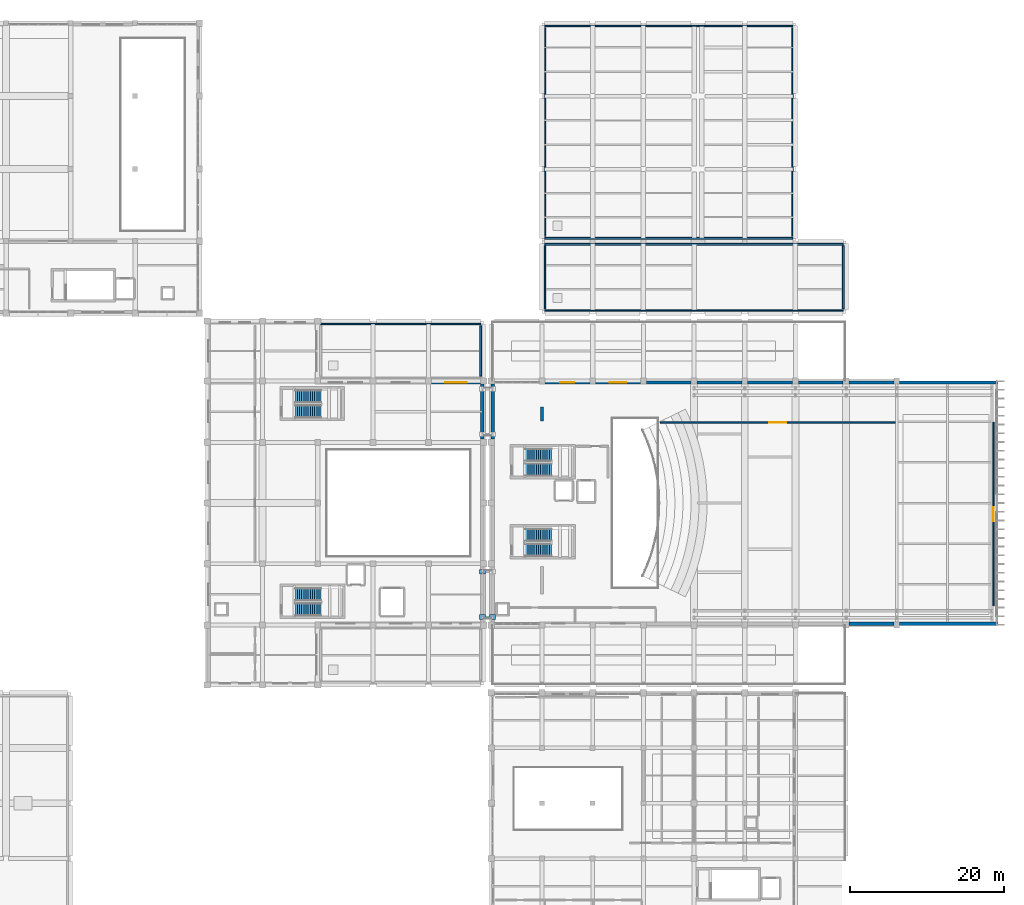
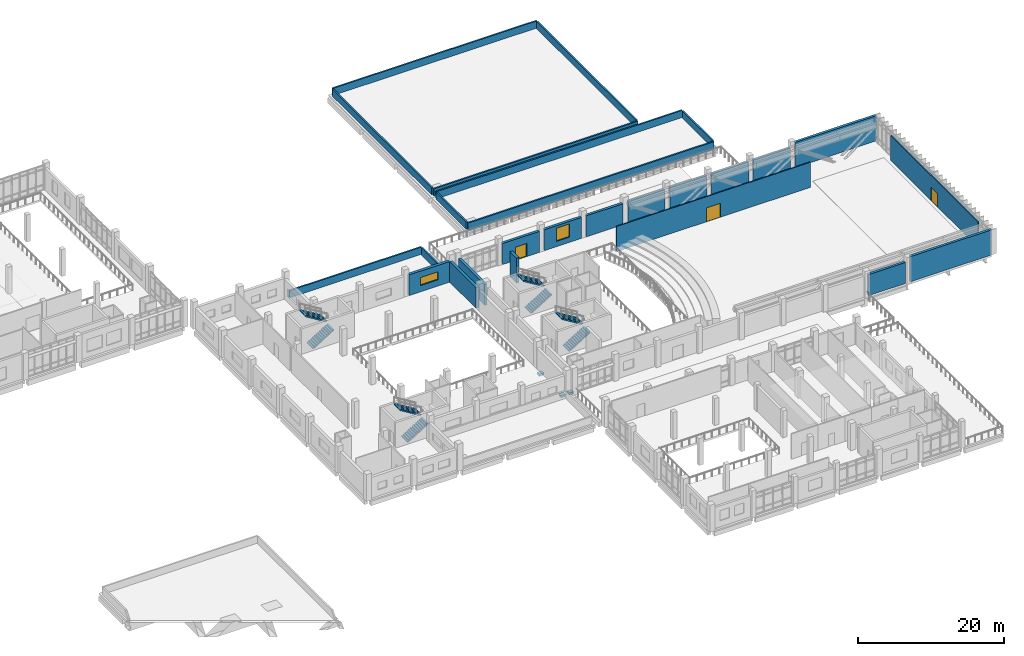
# One storey, part 43 of 54: 26 walls, 8 stair flights, 3 discrete accessories, 3 doors, 2 windows, 5 openings, 4 elements without a shape of their own.
"""IFC4 building model written with IfcOpenShell, lengths in metres."""

from ifc_helpers import new_model, si_unit, direction, frame, frame_2d, origin, origin_2d, place, context, subcontext, project, spatial, polyline, rectangle, outline, extrude, material, layer, layer_set, type_object, element, fill, aggregate, save


model = new_model("IFC4")

# Units and contexts
model_context = context("Model", 3, precision=1e-05, world=origin(), true_north=direction((0.0, 1.0)))
body_context = subcontext(model_context, "Body", "Model", "MODEL_VIEW")
ifc_project = project(units=[si_unit("LENGTHUNIT", "METRE"), si_unit("AREAUNIT", "SQUARE_METRE"), si_unit("VOLUMEUNIT", "CUBIC_METRE"), si_unit("PLANEANGLEUNIT", "RADIAN"), si_unit("MASSUNIT", "GRAM", prefix="KILO")], contexts=[model_context])

# Site, building, storey
site_placement = place(None, origin())
site = spatial("IfcSite", under=ifc_project, at=site_placement, CompositionType="ELEMENT")
building_placement = place(site_placement, origin())
building = spatial("IfcBuilding", under=site, at=building_placement, Name="Kelarvand Opera House", CompositionType="ELEMENT")
storey_placement = place(building_placement, frame((0.0, 0.0, 15.0)))
storey = spatial("IfcBuildingStorey", under=building, at=storey_placement, Name="L03", CompositionType="ELEMENT", Elevation=15.0)

# Wall, opening, door
ifc_material_1 = material(Name="Concrete C35/45", Category="concrete")
ifc_layer_1 = layer(ifc_material_1, 0.39990234375, Name="Concrete C35/45", Category="concrete")
ifc_layer_set_1 = layer_set([ifc_layer_1], Name="Concrete C35/45")
wall_type_1 = type_object("IfcWallType", Name="Acoustic Brick-Travertine Double Wall 400", PredefinedType="SOLIDWALL", material=ifc_layer_set_1)
wall_1_placement = place(storey_placement, frame((95.97509765625, 78.219970703125, 0.0), z_axis=(0.0, 0.0, 1.0), x_axis=(1.0, 0.0, 0.0)))
wall_1 = element("IfcWall", 1, at=wall_1_placement, inside=storey, type_object=wall_type_1, Name="V1 L03 Exterior Wall EW-400 (129)", PredefinedType="SOLIDWALL", context=body_context, shape_type="SweptSolid", body=[
    extrude(rectangle(XDim=5.849853515625, YDim=0.39990234375, at=frame_2d((2.9248046875, 0.0))), origin(), (0.0, 0.0, 1.0), 3.511962890625),
])
opening_1_placement = place(wall_1_placement, frame((2.02490234375, 0.0, 0.0)))
opening_1 = element("IfcOpeningElement", 2, at=opening_1_placement, cuts=wall_1, Name="Opening TD-180", PredefinedType="OPENING", context=body_context, shape_type="SweptSolid", body=[
    extrude(rectangle(XDim=1.800048828125, YDim=2.199951171875, at=frame_2d((0.89990234375, 1.10009765625))), frame((0.0, 0.2099609375, 0.0), z_axis=(0.0, -1.0, 0.0), x_axis=(1.0, 0.0, 0.0)), (0.0, 0.0, 1.0), 0.419921875),
])
ifc_material_2 = material(Name="Thermally broken bronze-anodised aluminium and safety glass", Category="aluminium")
door_type_1 = type_object("IfcDoorType", Name="Glazed Planted Roof Terrace Double Door 1800x2200", OperationType="NOTDEFINED", PredefinedType="DOOR", material=ifc_material_2)
door_1_placement = place(opening_1_placement, origin())
door_1 = element("IfcDoor", 3, at=door_1_placement, inside=storey, type_object=door_type_1, Name="V1 L03 Planted Terrace Door 3", OperationType="DOUBLE_DOOR_SINGLE_SWING", OverallHeight=2.199951171875, OverallWidth=1.800048828125, PredefinedType="DOOR", context=body_context, shape_type="SweptSolid", body=[
    extrude(rectangle(XDim=1.800048828125, YDim=2.199951171875, at=frame_2d((0.89990234375, 1.10009765625))), frame((0.0, 0.02490234375, 0.0), z_axis=(0.0, -1.0, 0.0), x_axis=(1.0, 0.0, 0.0)), (0.0, 0.0, 1.0), 0.050048828125),
])
fill(opening_1, door_1)

# Wall, opening, window
wall_2_placement = place(storey_placement, frame((102.574951171875, 78.219970703125, 0.0), z_axis=(0.0, 0.0, 1.0), x_axis=(1.0, 0.0, 0.0)))
wall_2 = element("IfcWall", 4, at=wall_2_placement, inside=storey, type_object=wall_type_1, Name="V1 L03 Exterior Wall EW-400 (130)", PredefinedType="SOLIDWALL", context=body_context, shape_type="SweptSolid", body=[
    extrude(rectangle(XDim=5.85009765625, YDim=0.39990234375, at=frame_2d((2.925048828125, 0.0))), origin(), (0.0, 0.0, 1.0), 3.511962890625),
])
opening_2_placement = place(wall_2_placement, frame((1.875, 0.0, 0.89990234375)))
opening_2 = element("IfcOpeningElement", 5, at=opening_2_placement, cuts=wall_2, Name="Opening WN-02", PredefinedType="OPENING", context=body_context, shape_type="SweptSolid", body=[
    extrude(rectangle(XDim=2.10009765625, YDim=2.199951171875, at=frame_2d((1.050048828125, 1.10009765625))), frame((0.0, 0.2099609375, 0.0), z_axis=(0.0, -1.0, 0.0), x_axis=(1.0, 0.0, 0.0)), (0.0, 0.0, 1.0), 0.419921875),
])
ifc_material_3 = material(Name="Thermally broken aluminium and low-E double glazing", Category="aluminium")
window_type_1 = type_object("IfcWindowType", Name="Recessed Aluminium Thermal Window 2100x2200 WN-02", PartitioningType="SINGLE_PANEL", PredefinedType="WINDOW", material=ifc_material_3)
window_1_placement = place(opening_2_placement, origin())
window_1 = element("IfcWindow", 6, at=window_1_placement, inside=storey, type_object=window_type_1, Name="V1 L03 Facade Window WN-02 (3)", OverallHeight=2.199951171875, OverallWidth=2.10009765625, PartitioningType="SINGLE_PANEL", PredefinedType="WINDOW", context=body_context, shape_type="SweptSolid", body=[
    extrude(rectangle(XDim=2.10009765625, YDim=2.199951171875, at=frame_2d((1.050048828125, 1.10009765625))), frame((0.0, 0.030029296875, 0.0), z_axis=(0.0, -1.0, 0.0), x_axis=(1.0, 0.0, 0.0)), (0.0, 0.0, 1.0), 0.06005859375),
])
fill(opening_2, window_1)

# Walls
for number, where, z_axis, x_axis, name in (
    (7, (109.175048828125, 78.219970703125, 0.0), (0.0, 0.0, 1.0), (1.0, 0.0, 0.0), "V1 L03 Exterior Wall EW-400 (131)"),
    (8, (115.81005859375, 78.219970703125, 0.0), (0.0, 0.0, 1.0), (1.0, 0.0, 0.0), "V1 L03 Exterior Wall EW-400 (132)"),
):
    element("IfcWall", number, at=place(storey_placement, frame(where, z_axis=z_axis, x_axis=x_axis)), inside=storey, type_object=wall_type_1, Name=name, PredefinedType="SOLIDWALL", context=body_context, shape_type="SweptSolid", body=[
        extrude(rectangle(XDim=5.81494140625, YDim=0.39990234375, at=frame_2d((2.907470703125, 0.0))), origin(), (0.0, 0.0, 1.0), 3.511962890625),
    ])
wall_3_placement = place(storey_placement, frame((122.375, 78.219970703125, 0.0), z_axis=(0.0, 0.0, 1.0), x_axis=(1.0, 0.0, 0.0)))
element("IfcWall", 9, at=wall_3_placement, inside=storey, type_object=wall_type_1, Name="V1 L03 Exterior Wall EW-400 (133)", PredefinedType="SOLIDWALL", context=body_context, shape_type="SweptSolid", body=[
    extrude(rectangle(XDim=5.85009765625, YDim=0.39990234375, at=frame_2d((2.925048828125, 0.0))), origin(), (0.0, 0.0, 1.0), 3.511962890625),
])
wall_4_placement = place(storey_placement, frame((128.97509765625, 78.219970703125, 0.0), z_axis=(0.0, 0.0, 1.0), x_axis=(1.0, 0.0, 0.0)))
element("IfcWall", 10, at=wall_4_placement, inside=storey, type_object=wall_type_1, Name="V1 L03 Exterior Wall EW-400 (134)", PredefinedType="SOLIDWALL", context=body_context, shape_type="SweptSolid", body=[
    extrude(rectangle(XDim=5.849853515625, YDim=0.39990234375, at=frame_2d((2.9248046875, 0.0))), origin(), (0.0, 0.0, 1.0), 3.511962890625),
])
wall_5_placement = place(storey_placement, frame((135.574951171875, 78.219970703125, 0.0), z_axis=(0.0, 0.0, 1.0), x_axis=(1.0, 0.0, 0.0)))
element("IfcWall", 11, at=wall_5_placement, inside=storey, type_object=wall_type_1, Name="V1 L03 Exterior Wall EW-400 (135)", PredefinedType="SOLIDWALL", context=body_context, shape_type="SweptSolid", body=[
    extrude(rectangle(XDim=5.85009765625, YDim=0.39990234375, at=frame_2d((2.925048828125, 0.0))), origin(), (0.0, 0.0, 1.0), 3.511962890625),
])
wall_6_placement = place(storey_placement, frame((142.175048828125, 78.219970703125, 0.0), z_axis=(0.0, 0.0, 1.0), x_axis=(1.0, 0.0, 0.0)))
element("IfcWall", 12, at=wall_6_placement, inside=storey, type_object=wall_type_1, Name="V1 L03 Exterior Wall EW-400 (136)", PredefinedType="SOLIDWALL", context=body_context, shape_type="SweptSolid", body=[
    extrude(rectangle(XDim=12.824951171875, YDim=0.39990234375, at=frame_2d((6.41259765625, 0.0))), origin(), (0.0, 0.0, 1.0), 4.199951171875),
])
wall_7_placement = place(storey_placement, frame((89.179931640625, 70.81005859375, 0.0), z_axis=(0.0, 0.0, 1.0), x_axis=(0.0, 1.0, 0.0)))
element("IfcWall", 13, at=wall_7_placement, inside=storey, type_object=wall_type_1, Name="V1 L03 Exterior Wall EW-400 (140)", PredefinedType="SOLIDWALL", context=body_context, shape_type="SweptSolid", body=[
    extrude(rectangle(XDim=7.179931640625, YDim=0.39990234375, at=frame_2d((3.58984375, 0.0))), origin(), (0.0, 0.0, 1.0), 3.4619140625),
])
wall_8_placement = place(storey_placement, frame((155.0, 46.780029296875, 0.0), z_axis=(0.0, 0.0, 1.0), x_axis=(-1.0, 0.0, 0.0)))
element("IfcWall", 14, at=wall_8_placement, inside=storey, type_object=wall_type_1, Name="V1 L03 Exterior Wall EW-400 (141)", PredefinedType="SOLIDWALL", context=body_context, shape_type="SweptSolid", body=[
    extrude(rectangle(XDim=12.824951171875, YDim=0.39990234375, at=frame_2d((6.41259765625, 0.0))), origin(), (0.0, 0.0, 1.0), 4.199951171875),
])
wall_9_placement = place(storey_placement, frame((141.425048828125, 46.780029296875, 0.0), z_axis=(0.0, 0.0, 1.0), x_axis=(-1.0, 0.0, 0.0)))
element("IfcWall", 15, at=wall_9_placement, inside=storey, type_object=wall_type_1, Name="V1 L03 Exterior Wall EW-400 (142)", PredefinedType="SOLIDWALL", context=body_context, shape_type="SweptSolid", body=[
    extrude(rectangle(XDim=5.85009765625, YDim=0.39990234375, at=frame_2d((2.925048828125, 0.0))), origin(), (0.0, 0.0, 1.0), 3.511962890625),
])
ifc_layer_2 = layer(ifc_material_1, 0.239990234375, Name="Concrete C35/45", Category="concrete")
ifc_layer_set_2 = layer_set([ifc_layer_2], Name="Concrete C35/45")
wall_type_2 = type_object("IfcWallType", Name="Capped Travertine Roof Parapet 240", PredefinedType="PARAPET", material=ifc_layer_set_2)
wall_10_placement = place(storey_placement, frame((87.6201171875, 85.820068359375, 0.0), z_axis=(0.0, 0.0, 1.0), x_axis=(-1.0, 0.0, 0.0)))
element("IfcWall", 16, at=wall_10_placement, inside=storey, type_object=wall_type_2, Name="V2 Roof Parapet 10", PredefinedType="PARAPET", context=body_context, shape_type="SweptSolid", body=[
    extrude(rectangle(XDim=20.840087890625, YDim=0.239990234375, at=frame_2d((10.419921875, 0.0))), origin(), (0.0, 0.0, 1.0), 1.199951171875),
])
wall_11_placement = place(storey_placement, frame((87.6201171875, 79.02001953125, 0.0), z_axis=(0.0, 0.0, 1.0), x_axis=(0.0, 1.0, 0.0)))
element("IfcWall", 17, at=wall_11_placement, inside=storey, type_object=wall_type_2, Name="V2 Roof Parapet 12", PredefinedType="PARAPET", context=body_context, shape_type="SweptSolid", body=[
    extrude(rectangle(XDim=6.56005859375, YDim=0.239990234375, at=frame_2d((3.280029296875, 0.0))), origin(), (0.0, 0.0, 1.0), 1.199951171875),
])
for number, where, z_axis, x_axis, name in (
    (18, (95.97998046875, 87.580078125, 0.0), (0.0, 0.0, 1.0), (1.0, 0.0, 0.0), "V5 Roof Parapet 33"),
    (19, (134.820068359375, 96.219970703125, 0.0), (0.0, 0.0, 1.0), (-1.0, 0.0, 0.0), "V5 Roof Parapet 34"),
):
    element("IfcWall", number, at=place(storey_placement, frame(where, z_axis=z_axis, x_axis=x_axis)), inside=storey, type_object=wall_type_2, Name=name, PredefinedType="PARAPET", context=body_context, shape_type="SweptSolid", body=[
        extrude(rectangle(XDim=38.840087890625, YDim=0.239990234375, at=frame_2d((19.419921875, 0.0))), origin(), (0.0, 0.0, 1.0), 1.199951171875),
    ])
for number, where, z_axis, x_axis, name in (
    (20, (95.97998046875, 95.97998046875, 0.0), (0.0, 0.0, 1.0), (0.0, -1.0, 0.0), "V5 Roof Parapet 35"),
    (21, (134.820068359375, 87.820068359375, 0.0), (0.0, 0.0, 1.0), (0.0, 1.0, 0.0), "V5 Roof Parapet 36"),
):
    element("IfcWall", number, at=place(storey_placement, frame(where, z_axis=z_axis, x_axis=x_axis)), inside=storey, type_object=wall_type_2, Name=name, PredefinedType="PARAPET", context=body_context, shape_type="SweptSolid", body=[
        extrude(rectangle(XDim=8.159912109375, YDim=0.239990234375, at=frame_2d((4.080078125, 0.0))), origin(), (0.0, 0.0, 1.0), 1.199951171875),
    ])
for number, where, z_axis, x_axis, name in (
    (22, (95.97998046875, 96.97998046875, 0.0), (0.0, 0.0, 1.0), (1.0, 0.0, 0.0), "V5 Roof Parapet 37"),
    (23, (128.219970703125, 124.6201171875, 0.0), (0.0, 0.0, 1.0), (-1.0, 0.0, 0.0), "V5 Roof Parapet 38"),
):
    element("IfcWall", number, at=place(storey_placement, frame(where, z_axis=z_axis, x_axis=x_axis)), inside=storey, type_object=wall_type_2, Name=name, PredefinedType="PARAPET", context=body_context, shape_type="SweptSolid", body=[
        extrude(rectangle(XDim=32.239990234375, YDim=0.239990234375, at=frame_2d((16.1201171875, 0.0))), origin(), (0.0, 0.0, 1.0), 1.199951171875),
    ])
for number, where, z_axis, x_axis, name in (
    (24, (95.97998046875, 124.3798828125, 0.0), (0.0, 0.0, 1.0), (0.0, -1.0, 0.0), "V5 Roof Parapet 39"),
    (25, (128.219970703125, 97.219970703125, 0.0), (0.0, 0.0, 1.0), (0.0, 1.0, 0.0), "V5 Roof Parapet 40"),
):
    element("IfcWall", number, at=place(storey_placement, frame(where, z_axis=z_axis, x_axis=x_axis)), inside=storey, type_object=wall_type_2, Name=name, PredefinedType="PARAPET", context=body_context, shape_type="SweptSolid", body=[
        extrude(rectangle(XDim=27.159912109375, YDim=0.239990234375, at=frame_2d((13.580078125, 0.0))), origin(), (0.0, 0.0, 1.0), 1.199951171875),
    ])

# Wall, opening, door
ifc_layer_3 = layer(ifc_material_1, 0.179931640625, Name="Concrete C35/45", Category="concrete")
ifc_layer_set_3 = layer_set([ifc_layer_3], Name="Concrete C35/45")
wall_type_3 = type_object("IfcWallType", Name="Corridor Fire-Rated Partition Wall 180 EI90", PredefinedType="PARTITIONING", material=ifc_layer_set_3)
wall_12_placement = place(storey_placement, frame((111.0, 73.0, 0.0), z_axis=(0.0, 0.0, 1.0), x_axis=(1.0, 0.0, 0.0)))
wall_12 = element("IfcWall", 26, at=wall_12_placement, inside=storey, type_object=wall_type_3, Name="V1 L03 Partition Wall IW-90 (572)", PredefinedType="PARTITIONING", context=body_context, shape_type="SweptSolid", body=[
    extrude(rectangle(XDim=30.60009765625, YDim=0.179931640625, at=frame_2d((15.300048828125, 0.0))), origin(), (0.0, 0.0, 1.0), 4.19189453125),
])
opening_3_placement = place(wall_12_placement, frame((14.199951171875, 0.0, 0.0)))
opening_3 = element("IfcOpeningElement", 27, at=opening_3_placement, cuts=wall_12, Name="Opening D-18", PredefinedType="OPENING", context=body_context, shape_type="SweptSolid", body=[
    extrude(rectangle(XDim=2.199951171875, YDim=2.320068359375, at=frame_2d((1.10009765625, 1.16015625))), frame((0.0, 0.10009765625, 0.0), z_axis=(0.0, -1.0, 0.0), x_axis=(1.0, 0.0, 0.0)), (0.0, 0.0, 1.0), 0.199951171875),
])
ifc_material_4 = material(Name="Acoustic walnut-veneered hardwood", Category="wood")
door_type_2 = type_object("IfcDoorType", Name="Main Concourse Glazed Double Door 2200x2320", OperationType="NOTDEFINED", PredefinedType="DOOR", material=ifc_material_4)
door_2_placement = place(opening_3_placement, origin())
door_2 = element("IfcDoor", 28, at=door_2_placement, inside=storey, type_object=door_type_2, Name="V1 L03 Door D-18 (254)", OperationType="DOUBLE_DOOR_SINGLE_SWING", OverallHeight=2.320068359375, OverallWidth=2.199951171875, PredefinedType="DOOR", context=body_context, shape_type="SweptSolid", body=[
    extrude(rectangle(XDim=2.199951171875, YDim=2.320068359375, at=frame_2d((1.10009765625, 1.16015625))), frame((0.0, 0.02490234375, 0.0), z_axis=(0.0, -1.0, 0.0), x_axis=(1.0, 0.0, 0.0)), (0.0, 0.0, 1.0), 0.050048828125),
])
fill(opening_3, door_2)

wall_13_placement = place(storey_placement, frame((154.39990234375, 49.10009765625, 0.0), z_axis=(0.0, 0.0, 1.0), x_axis=(0.0, 1.0, 0.0)))
wall_13 = element("IfcWall", 29, at=wall_13_placement, inside=storey, type_object=wall_type_3, Name="V1 L03 Partition Wall IW-90 (573)", PredefinedType="PARTITIONING", context=body_context, shape_type="SweptSolid", body=[
    extrude(rectangle(XDim=23.89990234375, YDim=0.179931640625, at=frame_2d((11.949951171875, 0.0))), origin(), (0.0, 0.0, 1.0), 4.19189453125),
])
opening_4_placement = place(wall_13_placement, frame((11.050048828125, 0.0, 0.0)))
opening_4 = element("IfcOpeningElement", 30, at=opening_4_placement, cuts=wall_13, Name="Opening D-04", PredefinedType="OPENING", context=body_context, shape_type="SweptSolid", body=[
    extrude(rectangle(XDim=1.800048828125, YDim=2.199951171875, at=frame_2d((0.89990234375, 1.10009765625))), frame((0.0, 0.10009765625, 0.0), z_axis=(0.0, -1.0, 0.0), x_axis=(1.0, 0.0, 0.0)), (0.0, 0.0, 1.0), 0.199951171875),
])
door_type_3 = type_object("IfcDoorType", Name="Auditorium Acoustic Sound-Lock Double Door 1800x2200", OperationType="NOTDEFINED", PredefinedType="DOOR", material=ifc_material_4)
door_3_placement = place(opening_4_placement, origin())
door_3 = element("IfcDoor", 31, at=door_3_placement, inside=storey, type_object=door_type_3, Name="V1 L03 Door D-04 (255)", OperationType="DOUBLE_DOOR_SINGLE_SWING", OverallHeight=2.199951171875, OverallWidth=1.800048828125, PredefinedType="DOOR", context=body_context, shape_type="SweptSolid", body=[
    extrude(rectangle(XDim=1.800048828125, YDim=2.199951171875, at=frame_2d((0.89990234375, 1.10009765625))), frame((0.0, 0.02490234375, 0.0), z_axis=(0.0, -1.0, 0.0), x_axis=(1.0, 0.0, 0.0)), (0.0, 0.0, 1.0), 0.050048828125),
])
fill(opening_4, door_3)

# Wall
ifc_material_5 = material(Name="Concrete C40/50", Category="concrete")
ifc_layer_4 = layer(ifc_material_5, 0.39990234375, Name="Concrete C40/50", Category="concrete")
ifc_layer_set_4 = layer_set([ifc_layer_4], Name="Concrete C40/50")
wall_type_4 = type_object("IfcWallType", Name="Seismic Compartment Shear Wall 400", PredefinedType="SHEAR", material=ifc_layer_set_4)
wall_14_placement = place(storey_placement, frame((95.60009765625, 73.199951171875, 0.0), z_axis=(0.0, 0.0, 1.0), x_axis=(0.0, 1.0, 0.0)))
element("IfcWall", 32, at=wall_14_placement, inside=storey, type_object=wall_type_4, Name="V1 Shear Wall CW-120 L03", PredefinedType="SHEAR", context=body_context, shape_type="SweptSolid", body=[
    extrude(rectangle(XDim=1.800048828125, YDim=0.39990234375, at=frame_2d((0.89990234375, 0.0))), origin(), (0.0, 0.0, 1.0), 4.179931640625),
])

# Wall, opening, window
ifc_layer_5 = layer(ifc_material_1, 0.43994140625, Name="Concrete C35/45", Category="concrete")
ifc_layer_set_5 = layer_set([ifc_layer_5], Name="Concrete C35/45")
wall_type_5 = type_object("IfcWallType", Name="Stage House Acoustic Cavity Wall 440", PredefinedType="SOLIDWALL", material=ifc_layer_set_5)
wall_15_placement = place(storey_placement, frame((81.175048828125, 78.219970703125, 0.0), z_axis=(0.0, 0.0, 1.0), x_axis=(1.0, 0.0, 0.0)))
wall_15 = element("IfcWall", 33, at=wall_15_placement, inside=storey, type_object=wall_type_5, Name="V2 L03 Exterior Wall EW-440 (293)", PredefinedType="SOLIDWALL", context=body_context, shape_type="SweptSolid", body=[
    extrude(rectangle(XDim=6.4150390625, YDim=0.43994140625, at=frame_2d((3.20751953125, 0.0))), origin(), (0.0, 0.0, 1.0), 3.4619140625),
])
opening_5_placement = place(wall_15_placement, frame((1.80810546875, 0.0, 1.050048828125)))
opening_5 = element("IfcOpeningElement", 34, at=opening_5_placement, cuts=wall_15, Name="Opening WN-21", PredefinedType="OPENING", context=body_context, shape_type="SweptSolid", body=[
    extrude(rectangle(XDim=2.800048828125, YDim=1.35009765625, at=frame_2d((1.39990234375, 0.675048828125))), frame((0.0, 0.22998046875, 0.0), z_axis=(0.0, -1.0, 0.0), x_axis=(1.0, 0.0, 0.0)), (0.0, 0.0, 1.0), 0.4599609375),
])
window_type_2 = type_object("IfcWindowType", Name="Recessed Aluminium Thermal Window 2800x1350 WN-21", PartitioningType="SINGLE_PANEL", PredefinedType="WINDOW", material=ifc_material_3)
window_2_placement = place(opening_5_placement, origin())
window_2 = element("IfcWindow", 35, at=window_2_placement, inside=storey, type_object=window_type_2, Name="V2 L03 Facade Window WN-21 (83)", OverallHeight=1.35009765625, OverallWidth=2.800048828125, PartitioningType="SINGLE_PANEL", PredefinedType="WINDOW", context=body_context, shape_type="SweptSolid", body=[
    extrude(rectangle(XDim=2.800048828125, YDim=1.35009765625, at=frame_2d((1.39990234375, 0.675048828125))), frame((0.0, 0.030029296875, 0.0), z_axis=(0.0, -1.0, 0.0), x_axis=(1.0, 0.0, 0.0)), (0.0, 0.0, 1.0), 0.06005859375),
])
fill(opening_5, window_2)

# Wall
wall_16_placement = place(storey_placement, frame((87.820068359375, 77.989990234375, 0.0), z_axis=(0.0, 0.0, 1.0), x_axis=(0.0, -1.0, 0.0)))
element("IfcWall", 36, at=wall_16_placement, inside=storey, type_object=wall_type_5, Name="V2 L03 Exterior Wall EW-440 (294)", PredefinedType="SOLIDWALL", context=body_context, shape_type="SweptSolid", body=[
    extrude(rectangle(XDim=7.179931640625, YDim=0.43994140625, at=frame_2d((3.58984375, 0.0))), origin(), (0.0, 0.0, 1.0), 3.4619140625),
])

# Stair, stair flights
stair_type = type_object("IfcStairType", Name="Dogleg Concrete Exit Stair 1660mm 26R STA-03", PredefinedType="HALF_TURN_STAIR", material=ifc_material_1)
stair_1_placement = place(storey_placement, origin())
stair_1 = element("IfcStair", 37, at=stair_1_placement, inside=storey, type_object=stair_type, Name="L03 Auditorium North Firefighting and Public Core C1 Stair ST-01", PredefinedType="HALF_TURN_STAIR")
stair_flight_type = type_object("IfcStairFlightType", Name="Precast Stair Flight 1660mm 13x173mm STF-03", PredefinedType="STRAIGHT", material=ifc_material_1)
stair_flight_1_placement = place(storey_placement, frame((93.4599609375, 66.830078125, 0.0), z_axis=(0.0, 0.0, 1.0), x_axis=(1.0, 0.0, 0.0)))
stair_flight_1 = element("IfcStairFlight", 38, at=stair_flight_1_placement, type_object=stair_flight_type, Name="ST-01 flight 1", NumberOfRisers=13, NumberOfTreads=12, PredefinedType="STRAIGHT", RiserHeight=0.173076923, TreadLength=0.28, context=body_context, shape_type="SweptSolid", body=[
    extrude(outline(polyline([(0.0, 0.0), (0.0, 0.173095703125), (0.280029296875, 0.173095703125), (0.280029296875, 0.34619140625), (0.56005859375, 0.34619140625), (0.56005859375, 0.519287109375), (0.840087890625, 0.519287109375), (0.840087890625, 0.6923828125), (1.1201171875, 0.6923828125), (1.1201171875, 0.865478515625), (1.39990234375, 0.865478515625), (1.39990234375, 1.03857421875), (1.679931640625, 1.03857421875), (1.679931640625, 1.21142578125), (1.9599609375, 1.21142578125), (1.9599609375, 1.384521484375), (2.239990234375, 1.384521484375), (2.239990234375, 1.5576171875), (2.52001953125, 1.5576171875), (2.52001953125, 1.730712890625), (2.800048828125, 1.730712890625), (2.800048828125, 1.90380859375), (3.080078125, 1.90380859375), (3.080078125, 2.076904296875), (3.360107421875, 2.076904296875), (3.360107421875, 2.25), (3.360107421875, 1.888916015625), (0.30419921875, 0.0), (0.0, 0.0)])), frame((0.0, 0.830078125, 0.0), z_axis=(0.0, -1.0, 0.0), x_axis=(1.0, 0.0, 0.0)), (0.0, 0.0, 1.0), 1.659912109375),
])
stair_flight_2_placement = place(storey_placement, frame((96.820068359375, 68.77001953125, 2.25), z_axis=(0.0, 0.0, 1.0), x_axis=(-1.0, 0.0, 0.0)))
stair_flight_2 = element("IfcStairFlight", 39, at=stair_flight_2_placement, type_object=stair_flight_type, Name="ST-01 flight 2", NumberOfRisers=13, NumberOfTreads=12, PredefinedType="STRAIGHT", RiserHeight=0.173076923, TreadLength=0.28, context=body_context, shape_type="SweptSolid", body=[
    extrude(outline(polyline([(0.0, 0.0), (0.0, 0.173095703125), (0.280029296875, 0.173095703125), (0.280029296875, 0.34619140625), (0.56005859375, 0.34619140625), (0.56005859375, 0.519287109375), (0.840087890625, 0.519287109375), (0.840087890625, 0.6923828125), (1.1201171875, 0.6923828125), (1.1201171875, 0.865478515625), (1.39990234375, 0.865478515625), (1.39990234375, 1.03857421875), (1.679931640625, 1.03857421875), (1.679931640625, 1.21142578125), (1.9599609375, 1.21142578125), (1.9599609375, 1.384521484375), (2.239990234375, 1.384521484375), (2.239990234375, 1.5576171875), (2.52001953125, 1.5576171875), (2.52001953125, 1.730712890625), (2.800048828125, 1.730712890625), (2.800048828125, 1.90380859375), (3.080078125, 1.90380859375), (3.080078125, 2.076904296875), (3.360107421875, 2.076904296875), (3.360107421875, 2.25), (3.360107421875, 1.888916015625), (0.30419921875, 0.0), (0.0, 0.0)])), frame((0.0, 0.830078125, 0.0), z_axis=(0.0, -1.0, 0.0), x_axis=(1.0, 0.0, 0.0)), (0.0, 0.0, 1.0), 1.659912109375),
])
aggregate(stair_1, [stair_flight_1, stair_flight_2])

stair_2_placement = place(storey_placement, origin())
stair_2 = element("IfcStair", 40, at=stair_2_placement, inside=storey, type_object=stair_type, Name="L03 Stage House South Firefighting and Goods Core C2 Stair ST-02", PredefinedType="HALF_TURN_STAIR")
stair_flight_3_placement = place(storey_placement, frame((63.4599609375, 48.6298828125, 0.0), z_axis=(0.0, 0.0, 1.0), x_axis=(1.0, 0.0, 0.0)))
stair_flight_3 = element("IfcStairFlight", 41, at=stair_flight_3_placement, type_object=stair_flight_type, Name="ST-02 flight 1", NumberOfRisers=13, NumberOfTreads=12, PredefinedType="STRAIGHT", RiserHeight=0.173076923, TreadLength=0.28, context=body_context, shape_type="SweptSolid", body=[
    extrude(outline(polyline([(0.0, 0.0), (0.0, 0.173095703125), (0.280029296875, 0.173095703125), (0.280029296875, 0.34619140625), (0.56005859375, 0.34619140625), (0.56005859375, 0.519287109375), (0.840087890625, 0.519287109375), (0.840087890625, 0.6923828125), (1.1201171875, 0.6923828125), (1.1201171875, 0.865478515625), (1.39990234375, 0.865478515625), (1.39990234375, 1.03857421875), (1.679931640625, 1.03857421875), (1.679931640625, 1.21142578125), (1.9599609375, 1.21142578125), (1.9599609375, 1.384521484375), (2.239990234375, 1.384521484375), (2.239990234375, 1.5576171875), (2.52001953125, 1.5576171875), (2.52001953125, 1.730712890625), (2.800048828125, 1.730712890625), (2.800048828125, 1.90380859375), (3.080078125, 1.90380859375), (3.080078125, 2.076904296875), (3.360107421875, 2.076904296875), (3.360107421875, 2.25), (3.360107421875, 1.888916015625), (0.30419921875, 0.0), (0.0, 0.0)])), frame((0.0, 0.830078125, 0.0), z_axis=(0.0, -1.0, 0.0), x_axis=(1.0, 0.0, 0.0)), (0.0, 0.0, 1.0), 1.659912109375),
])
stair_flight_4_placement = place(storey_placement, frame((66.820068359375, 50.570068359375, 2.25), z_axis=(0.0, 0.0, 1.0), x_axis=(-1.0, 0.0, 0.0)))
stair_flight_4 = element("IfcStairFlight", 42, at=stair_flight_4_placement, type_object=stair_flight_type, Name="ST-02 flight 2", NumberOfRisers=13, NumberOfTreads=12, PredefinedType="STRAIGHT", RiserHeight=0.173076923, TreadLength=0.28, context=body_context, shape_type="SweptSolid", body=[
    extrude(outline(polyline([(0.0, 0.0), (0.0, 0.173095703125), (0.280029296875, 0.173095703125), (0.280029296875, 0.34619140625), (0.56005859375, 0.34619140625), (0.56005859375, 0.519287109375), (0.840087890625, 0.519287109375), (0.840087890625, 0.6923828125), (1.1201171875, 0.6923828125), (1.1201171875, 0.865478515625), (1.39990234375, 0.865478515625), (1.39990234375, 1.03857421875), (1.679931640625, 1.03857421875), (1.679931640625, 1.21142578125), (1.9599609375, 1.21142578125), (1.9599609375, 1.384521484375), (2.239990234375, 1.384521484375), (2.239990234375, 1.5576171875), (2.52001953125, 1.5576171875), (2.52001953125, 1.730712890625), (2.800048828125, 1.730712890625), (2.800048828125, 1.90380859375), (3.080078125, 1.90380859375), (3.080078125, 2.076904296875), (3.360107421875, 2.076904296875), (3.360107421875, 2.25), (3.360107421875, 1.888916015625), (0.30419921875, 0.0), (0.0, 0.0)])), frame((0.0, 0.830078125, 0.0), z_axis=(0.0, -1.0, 0.0), x_axis=(1.0, 0.0, 0.0)), (0.0, 0.0, 1.0), 1.659912109375),
])
aggregate(stair_2, [stair_flight_3, stair_flight_4])

stair_3_placement = place(storey_placement, origin())
stair_3 = element("IfcStair", 43, at=stair_3_placement, inside=storey, type_object=stair_type, Name="L03 Fly Tower North Technical Core C3 Stair ST-03", PredefinedType="HALF_TURN_STAIR")
stair_flight_5_placement = place(storey_placement, frame((63.4599609375, 74.429931640625, 0.0), z_axis=(0.0, 0.0, 1.0), x_axis=(1.0, 0.0, 0.0)))
stair_flight_5 = element("IfcStairFlight", 44, at=stair_flight_5_placement, type_object=stair_flight_type, Name="ST-03 flight 1", NumberOfRisers=13, NumberOfTreads=12, PredefinedType="STRAIGHT", RiserHeight=0.173076923, TreadLength=0.28, context=body_context, shape_type="SweptSolid", body=[
    extrude(outline(polyline([(0.0, 0.0), (0.0, 0.173095703125), (0.280029296875, 0.173095703125), (0.280029296875, 0.34619140625), (0.56005859375, 0.34619140625), (0.56005859375, 0.519287109375), (0.840087890625, 0.519287109375), (0.840087890625, 0.6923828125), (1.1201171875, 0.6923828125), (1.1201171875, 0.865478515625), (1.39990234375, 0.865478515625), (1.39990234375, 1.03857421875), (1.679931640625, 1.03857421875), (1.679931640625, 1.21142578125), (1.9599609375, 1.21142578125), (1.9599609375, 1.384521484375), (2.239990234375, 1.384521484375), (2.239990234375, 1.5576171875), (2.52001953125, 1.5576171875), (2.52001953125, 1.730712890625), (2.800048828125, 1.730712890625), (2.800048828125, 1.90380859375), (3.080078125, 1.90380859375), (3.080078125, 2.076904296875), (3.360107421875, 2.076904296875), (3.360107421875, 2.25), (3.360107421875, 1.888916015625), (0.30419921875, 0.0), (0.0, 0.0)])), frame((0.0, 0.830078125, 0.0), z_axis=(0.0, -1.0, 0.0), x_axis=(1.0, 0.0, 0.0)), (0.0, 0.0, 1.0), 1.659912109375),
])
stair_flight_6_placement = place(storey_placement, frame((66.820068359375, 76.3701171875, 2.25), z_axis=(0.0, 0.0, 1.0), x_axis=(-1.0, 0.0, 0.0)))
stair_flight_6 = element("IfcStairFlight", 45, at=stair_flight_6_placement, type_object=stair_flight_type, Name="ST-03 flight 2", NumberOfRisers=13, NumberOfTreads=12, PredefinedType="STRAIGHT", RiserHeight=0.173076923, TreadLength=0.28, context=body_context, shape_type="SweptSolid", body=[
    extrude(outline(polyline([(0.0, 0.0), (0.0, 0.173095703125), (0.280029296875, 0.173095703125), (0.280029296875, 0.34619140625), (0.56005859375, 0.34619140625), (0.56005859375, 0.519287109375), (0.840087890625, 0.519287109375), (0.840087890625, 0.6923828125), (1.1201171875, 0.6923828125), (1.1201171875, 0.865478515625), (1.39990234375, 0.865478515625), (1.39990234375, 1.03857421875), (1.679931640625, 1.03857421875), (1.679931640625, 1.21142578125), (1.9599609375, 1.21142578125), (1.9599609375, 1.384521484375), (2.239990234375, 1.384521484375), (2.239990234375, 1.5576171875), (2.52001953125, 1.5576171875), (2.52001953125, 1.730712890625), (2.800048828125, 1.730712890625), (2.800048828125, 1.90380859375), (3.080078125, 1.90380859375), (3.080078125, 2.076904296875), (3.360107421875, 2.076904296875), (3.360107421875, 2.25), (3.360107421875, 1.888916015625), (0.30419921875, 0.0), (0.0, 0.0)])), frame((0.0, 0.830078125, 0.0), z_axis=(0.0, -1.0, 0.0), x_axis=(1.0, 0.0, 0.0)), (0.0, 0.0, 1.0), 1.659912109375),
])
aggregate(stair_3, [stair_flight_5, stair_flight_6])

stair_4_placement = place(storey_placement, origin())
stair_4 = element("IfcStair", 46, at=stair_4_placement, inside=storey, type_object=stair_type, Name="L03 Auditorium South Foyer Core C4 Stair ST-04", PredefinedType="HALF_TURN_STAIR")
stair_flight_7_placement = place(storey_placement, frame((93.4599609375, 56.3798828125, 0.0), z_axis=(0.0, 0.0, 1.0), x_axis=(1.0, 0.0, 0.0)))
stair_flight_7 = element("IfcStairFlight", 47, at=stair_flight_7_placement, type_object=stair_flight_type, Name="ST-04 flight 1", NumberOfRisers=13, NumberOfTreads=12, PredefinedType="STRAIGHT", RiserHeight=0.173076923, TreadLength=0.28, context=body_context, shape_type="SweptSolid", body=[
    extrude(outline(polyline([(0.0, 0.0), (0.0, 0.173095703125), (0.280029296875, 0.173095703125), (0.280029296875, 0.34619140625), (0.56005859375, 0.34619140625), (0.56005859375, 0.519287109375), (0.840087890625, 0.519287109375), (0.840087890625, 0.6923828125), (1.1201171875, 0.6923828125), (1.1201171875, 0.865478515625), (1.39990234375, 0.865478515625), (1.39990234375, 1.03857421875), (1.679931640625, 1.03857421875), (1.679931640625, 1.21142578125), (1.9599609375, 1.21142578125), (1.9599609375, 1.384521484375), (2.239990234375, 1.384521484375), (2.239990234375, 1.5576171875), (2.52001953125, 1.5576171875), (2.52001953125, 1.730712890625), (2.800048828125, 1.730712890625), (2.800048828125, 1.90380859375), (3.080078125, 1.90380859375), (3.080078125, 2.076904296875), (3.360107421875, 2.076904296875), (3.360107421875, 2.25), (3.360107421875, 1.888916015625), (0.30419921875, 0.0), (0.0, 0.0)])), frame((0.0, 0.830078125, 0.0), z_axis=(0.0, -1.0, 0.0), x_axis=(1.0, 0.0, 0.0)), (0.0, 0.0, 1.0), 1.659912109375),
])
stair_flight_8_placement = place(storey_placement, frame((96.820068359375, 58.320068359375, 2.25), z_axis=(0.0, 0.0, 1.0), x_axis=(-1.0, 0.0, 0.0)))
stair_flight_8 = element("IfcStairFlight", 48, at=stair_flight_8_placement, type_object=stair_flight_type, Name="ST-04 flight 2", NumberOfRisers=13, NumberOfTreads=12, PredefinedType="STRAIGHT", RiserHeight=0.173076923, TreadLength=0.28, context=body_context, shape_type="SweptSolid", body=[
    extrude(outline(polyline([(0.0, 0.0), (0.0, 0.173095703125), (0.280029296875, 0.173095703125), (0.280029296875, 0.34619140625), (0.56005859375, 0.34619140625), (0.56005859375, 0.519287109375), (0.840087890625, 0.519287109375), (0.840087890625, 0.6923828125), (1.1201171875, 0.6923828125), (1.1201171875, 0.865478515625), (1.39990234375, 0.865478515625), (1.39990234375, 1.03857421875), (1.679931640625, 1.03857421875), (1.679931640625, 1.21142578125), (1.9599609375, 1.21142578125), (1.9599609375, 1.384521484375), (2.239990234375, 1.384521484375), (2.239990234375, 1.5576171875), (2.52001953125, 1.5576171875), (2.52001953125, 1.730712890625), (2.800048828125, 1.730712890625), (2.800048828125, 1.90380859375), (3.080078125, 1.90380859375), (3.080078125, 2.076904296875), (3.360107421875, 2.076904296875), (3.360107421875, 2.25), (3.360107421875, 1.888916015625), (0.30419921875, 0.0), (0.0, 0.0)])), frame((0.0, 0.830078125, 0.0), z_axis=(0.0, -1.0, 0.0), x_axis=(1.0, 0.0, 0.0)), (0.0, 0.0, 1.0), 1.659912109375),
])
aggregate(stair_4, [stair_flight_7, stair_flight_8])

# Discrete accessories
discrete_accessory_type = type_object("IfcDiscreteAccessoryType", Name="Seismic Bridge RC Corbel Seat 750mm with 250mm PTFE Sliding Bearing", PredefinedType="SHOE", material=ifc_material_5)
for number, where, z_axis, x_axis, name in (
    (49, (87.85009765625, 47.64990234375, -0.675048828125), (0.0, 0.0, 1.0), (1.0, 0.0, 0.0), "Seismic Bridge 750mm Corbel Seat & 250mm PTFE Bearing BR-JP-S L03 1.1"),
    (50, (89.14990234375, 47.64990234375, -0.675048828125), (0.0, 0.0, 1.0), (1.0, 0.0, 0.0), "Seismic Bridge 750mm Corbel Seat & 250mm PTFE Bearing BR-JP-S L03 1.2"),
    (51, (87.85009765625, 53.550048828125, -0.675048828125), (0.0, 0.0, 1.0), (1.0, 0.0, 0.0), "Seismic Bridge 750mm Corbel Seat & 250mm PTFE Bearing BR-JP-S L03 2.1"),
):
    element("IfcDiscreteAccessory", number, at=place(storey_placement, frame(where, z_axis=z_axis, x_axis=x_axis)), inside=storey, type_object=discrete_accessory_type, Name=name, PredefinedType="SHOE", context=body_context, shape_type="SweptSolid", body=[
        extrude(rectangle(XDim=0.75, YDim=0.60009765625, at=origin_2d()), origin(), (0.0, 0.0, 1.0), 0.35009765625),
    ])

save(model, "model.ifc")
